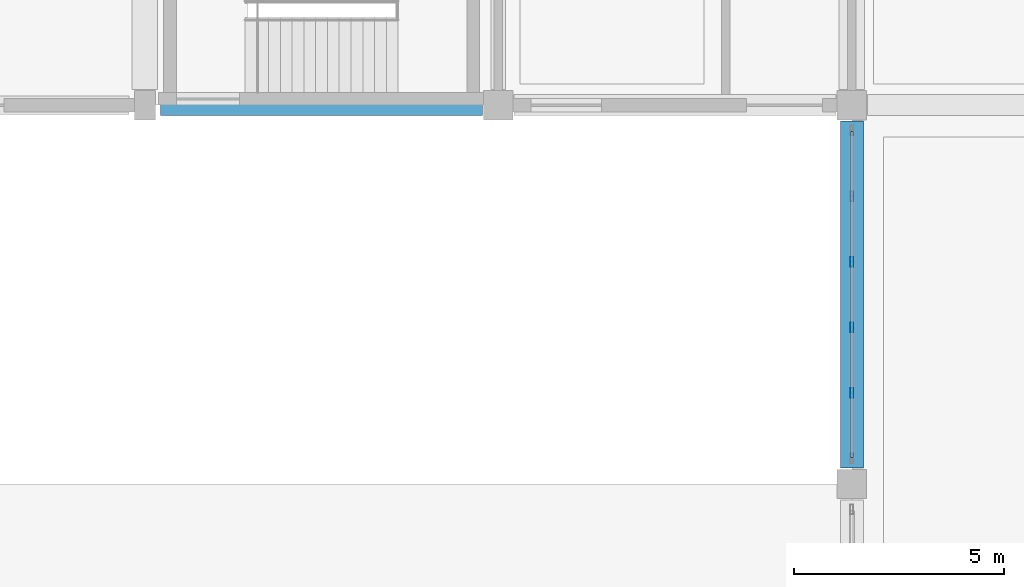
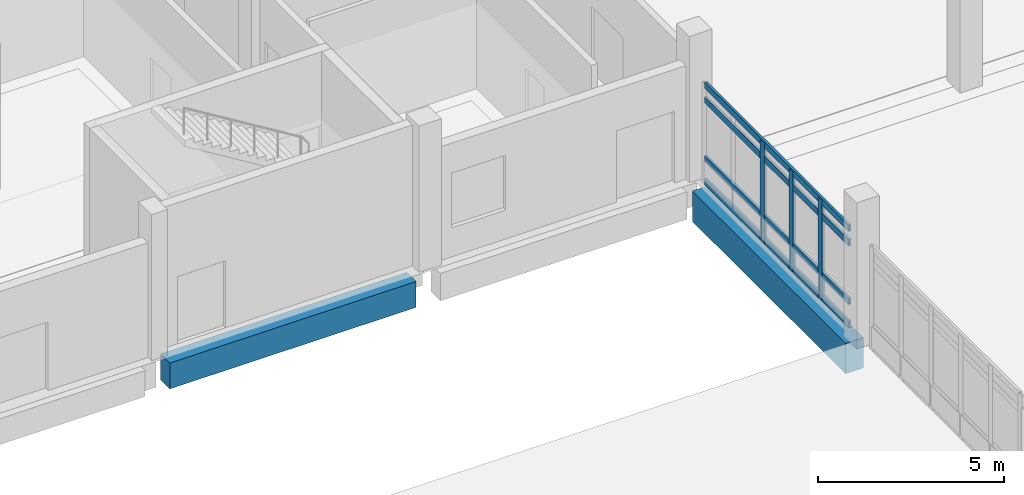
# One storey, part 11 of 95: 7 members, 2 beams, 1 element without a shape of its own.
"""IFC4 building model written with IfcOpenShell, lengths in metres."""

from ifc_helpers import new_model, si_unit, direction, frame, origin, origin_2d, place, context, subcontext, project, spatial, rectangle, hollow_rectangle, extrude, material, layer, layer_set, material_profile, profile_set, type_object, element, aggregate, save


model = new_model("IFC4")

# Units and contexts
model_context = context("Model", 3, precision=1e-05, world=origin(), true_north=direction((0.0, 1.0)))
body_context = subcontext(model_context, "Body", "Model", "MODEL_VIEW")
ifc_project = project(units=[si_unit("LENGTHUNIT", "METRE"), si_unit("AREAUNIT", "SQUARE_METRE"), si_unit("VOLUMEUNIT", "CUBIC_METRE"), si_unit("PLANEANGLEUNIT", "RADIAN"), si_unit("MASSUNIT", "GRAM", prefix="KILO")], contexts=[model_context])

# Site, building, storey
site_placement = place(None, origin())
site = spatial("IfcSite", under=ifc_project, at=site_placement, CompositionType="ELEMENT")
building_placement = place(site_placement, origin())
building = spatial("IfcBuilding", under=site, at=building_placement, Name="Vireocrest Preparatory School", CompositionType="ELEMENT")
storey_placement = place(building_placement, origin())
storey = spatial("IfcBuildingStorey", under=building, at=storey_placement, Name="L00", CompositionType="ELEMENT", Elevation=0.0)

# Curtain wall, members
ifc_material_1 = material(Name="Thermally broken aluminium EN AW-6063-T6", Category="aluminium")
ifc_layer = layer(ifc_material_1, 0.179931640625)
ifc_layer_set = layer_set([ifc_layer], Name="Thermally broken aluminium EN AW-6063-T6")
curtain_wall_type = type_object("IfcCurtainWallType", Name="Dining Side Storefront 9000x4400", PredefinedType="USERDEFINED", material=ifc_layer_set)
curtain_wall_placement = place(storey_placement, origin())
curtain_wall = element("IfcCurtainWall", 1, at=curtain_wall_placement, inside=storey, type_object=curtain_wall_type, Name="Curtain Wall CW11 CW_L00_CW11_0504_0095_000", ObjectType="CURTAIN WALL", PredefinedType="USERDEFINED")
ifc_material_profile_1 = material_profile(ifc_material_1, hollow_rectangle(XDim=0.074951171875, YDim=0.22509765625, WallThickness=0.0048828125, at=origin_2d()), Name="ALU 75x225x5")
ifc_profile_set_1 = profile_set([ifc_material_profile_1], Name="Thermally broken aluminium EN AW-6063-T6")
member_type_1 = type_object("IfcMemberType", Name="CW Mullion 75x225x5", PredefinedType="MULLION", material=ifc_profile_set_1)
member_1_placement = place(storey_placement, frame((50.39990234375, 11.1630859375, 0.0), z_axis=(0.0, 0.0, 1.0), x_axis=(1.0, 0.0, 0.0)))
member_1 = element("IfcMember", 2, at=member_1_placement, type_object=member_type_1, Name="CW Mullion ML4 CW_L00_CW11_0504_0095_000-2", PredefinedType="MULLION", context=body_context, shape_type="SweptSolid", body=[
    extrude(hollow_rectangle(XDim=0.074951171875, YDim=0.22509765625, WallThickness=0.0048828125, at=origin_2d()), origin(), (0.0, 0.0, 1.0), 3.294921875),
])
member_2_placement = place(storey_placement, frame((50.39990234375, 12.720947265625, 0.0), z_axis=(0.0, 0.0, 1.0), x_axis=(1.0, 0.0, 0.0)))
member_2 = element("IfcMember", 3, at=member_2_placement, type_object=member_type_1, Name="CW Mullion ML4 CW_L00_CW11_0504_0095_000-3", PredefinedType="MULLION", context=body_context, shape_type="SweptSolid", body=[
    extrude(hollow_rectangle(XDim=0.074951171875, YDim=0.22509765625, WallThickness=0.0048828125, at=origin_2d()), origin(), (0.0, 0.0, 1.0), 3.294921875),
])
member_3_placement = place(storey_placement, frame((50.39990234375, 14.279052734375, 0.0), z_axis=(0.0, 0.0, 1.0), x_axis=(1.0, 0.0, 0.0)))
member_3 = element("IfcMember", 4, at=member_3_placement, type_object=member_type_1, Name="CW Mullion ML4 CW_L00_CW11_0504_0095_000-4", PredefinedType="MULLION", context=body_context, shape_type="SweptSolid", body=[
    extrude(hollow_rectangle(XDim=0.074951171875, YDim=0.22509765625, WallThickness=0.0048828125, at=origin_2d()), origin(), (0.0, 0.0, 1.0), 3.294921875),
])
ifc_material_profile_2 = material_profile(ifc_material_1, hollow_rectangle(XDim=0.074951171875, YDim=0.2099609375, WallThickness=0.0048828125, at=origin_2d()), Name="ALU 75x210x5")
ifc_profile_set_2 = profile_set([ifc_material_profile_2], Name="Thermally broken aluminium EN AW-6063-T6")
member_type_2 = type_object("IfcMemberType", Name="CW Transom 75x210x5", PredefinedType="USERDEFINED", material=ifc_profile_set_2)
member_4_placement = place(storey_placement, frame((50.39990234375, 9.6298828125, 0.094970703125), z_axis=(0.0, 1.0, 0.0), x_axis=(-1.0, 0.0, 0.0)))
member_4 = element("IfcMember", 5, at=member_4_placement, type_object=member_type_2, Name="CW Transom TR4 CW_L00_CW11_0504_0095_000-1", ObjectType="TRANSOM", PredefinedType="USERDEFINED", context=body_context, shape_type="SweptSolid", body=[
    extrude(hollow_rectangle(XDim=0.074951171875, YDim=0.2099609375, WallThickness=0.0048828125, at=origin_2d()), origin(), (0.0, 0.0, 1.0), 7.740234375),
])
member_5_placement = place(storey_placement, frame((50.39990234375, 9.6298828125, 0.85009765625), z_axis=(0.0, 1.0, 0.0), x_axis=(-1.0, 0.0, 0.0)))
member_5 = element("IfcMember", 6, at=member_5_placement, type_object=member_type_2, Name="CW Transom TR4 CW_L00_CW11_0504_0095_000-2", ObjectType="TRANSOM", PredefinedType="USERDEFINED", context=body_context, shape_type="SweptSolid", body=[
    extrude(hollow_rectangle(XDim=0.074951171875, YDim=0.2099609375, WallThickness=0.0048828125, at=origin_2d()), origin(), (0.0, 0.0, 1.0), 7.740234375),
])
member_6_placement = place(storey_placement, frame((50.39990234375, 9.6298828125, 2.780029296875), z_axis=(0.0, 1.0, 0.0), x_axis=(-1.0, 0.0, 0.0)))
member_6 = element("IfcMember", 7, at=member_6_placement, type_object=member_type_2, Name="CW Transom TR4 CW_L00_CW11_0504_0095_000-3", ObjectType="TRANSOM", PredefinedType="USERDEFINED", context=body_context, shape_type="SweptSolid", body=[
    extrude(hollow_rectangle(XDim=0.074951171875, YDim=0.2099609375, WallThickness=0.0048828125, at=origin_2d()), origin(), (0.0, 0.0, 1.0), 7.740234375),
])
member_7_placement = place(storey_placement, frame((50.39990234375, 9.6298828125, 3.2548828125), z_axis=(0.0, 1.0, 0.0), x_axis=(-1.0, 0.0, 0.0)))
member_7 = element("IfcMember", 8, at=member_7_placement, type_object=member_type_2, Name="CW Transom TR4 CW_L00_CW11_0504_0095_000-4", ObjectType="TRANSOM", PredefinedType="USERDEFINED", context=body_context, shape_type="SweptSolid", body=[
    extrude(hollow_rectangle(XDim=0.074951171875, YDim=0.2099609375, WallThickness=0.0048828125, at=origin_2d()), origin(), (0.0, 0.0, 1.0), 7.740234375),
])
aggregate(curtain_wall, [member_1, member_2, member_3, member_4, member_5, member_6, member_7])

# Beams
ifc_material_2 = material(Name="Concrete 40 MPa", Category="concrete")
ifc_material_profile_3 = material_profile(ifc_material_2, rectangle(XDim=0.550048828125, YDim=1.0, at=origin_2d()), Name="RC 550x1000")
ifc_profile_set_3 = profile_set([ifc_material_profile_3], Name="Concrete 40 MPa")
beam_type_1 = type_object("IfcBeamType", Name="RC Core Coupling Beam 550x1000", PredefinedType="BEAM", material=ifc_profile_set_3)
beam_1_placement = place(storey_placement, frame((50.39990234375, 9.375, -0.780029296875), z_axis=(0.0, 1.0, 0.0), x_axis=(-1.0, 0.0, 0.0)))
element("IfcBeam", 9, at=beam_1_placement, inside=storey, type_object=beam_type_1, Name="Primary Girder B18 L00-0155", PredefinedType="BEAM", context=body_context, shape_type="SweptSolid", body=[
    extrude(rectangle(XDim=0.550048828125, YDim=1.0, at=origin_2d()), origin(), (0.0, 0.0, 1.0), 8.25),
])
ifc_material_profile_4 = material_profile(ifc_material_2, rectangle(XDim=0.5, YDim=0.85009765625, at=origin_2d()), Name="RC 500x850")
ifc_profile_set_4 = profile_set([ifc_material_profile_4], Name="Concrete 40 MPa")
beam_type_2 = type_object("IfcBeamType", Name="RC Podium Girder 500x850", PredefinedType="BEAM", material=ifc_profile_set_4)
beam_2_placement = place(storey_placement, frame((33.97509765625, 18.0, -0.77490234375), z_axis=(1.0, 0.0, 0.0), x_axis=(0.0, 1.0, 0.0)))
element("IfcBeam", 10, at=beam_2_placement, inside=storey, type_object=beam_type_2, Name="Primary Girder B14 L00-0012", PredefinedType="BEAM", context=body_context, shape_type="SweptSolid", body=[
    extrude(rectangle(XDim=0.5, YDim=0.85009765625, at=origin_2d()), origin(), (0.0, 0.0, 1.0), 7.64990234375),
])

save(model, "model.ifc")
